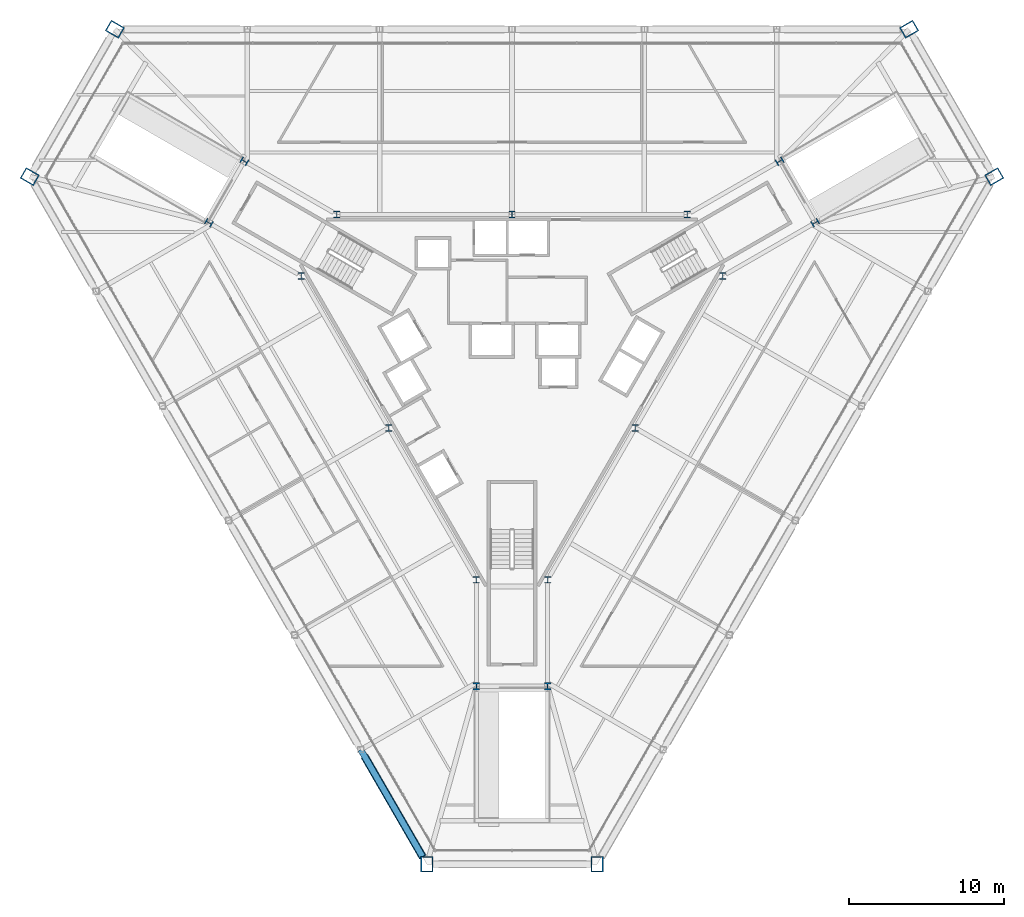
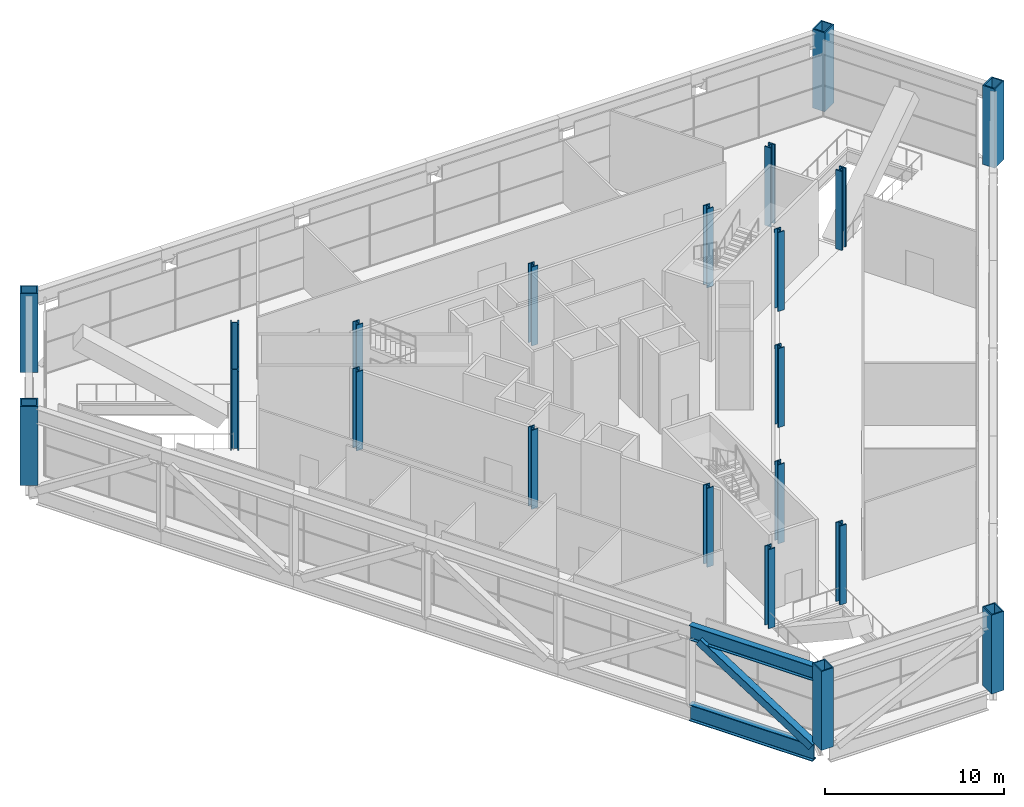
# One storey, part 1 of 20: 21 columns, 3 members.
"""IFC4 building model written with IfcOpenShell, lengths in metres."""

from ifc_helpers import new_model, si_unit, direction, frame, origin, origin_2d, place, context, subcontext, project, spatial, hollow_rectangle, i_section, extrude, material, material_profile, profile_set, type_object, element, save


model = new_model("IFC4")

# Units and contexts
model_context = context("Model", 3, precision=1e-05, world=origin(), true_north=direction((0.0, 1.0)))
body_context = subcontext(model_context, "Body", "Model", "MODEL_VIEW")
ifc_project = project(units=[si_unit("LENGTHUNIT", "METRE"), si_unit("AREAUNIT", "SQUARE_METRE"), si_unit("VOLUMEUNIT", "CUBIC_METRE"), si_unit("PLANEANGLEUNIT", "RADIAN"), si_unit("MASSUNIT", "GRAM", prefix="KILO")], contexts=[model_context])

# Site, building, storey
site_placement = place(None, origin())
site = spatial("IfcSite", under=ifc_project, at=site_placement, CompositionType="ELEMENT")
building_placement = place(site_placement, origin())
building = spatial("IfcBuilding", under=site, at=building_placement, Name="Verrane Prism Tower", CompositionType="ELEMENT")
storey_placement = place(building_placement, frame((0.0, 0.0, 12.0)))
storey = spatial("IfcBuildingStorey", under=building, at=storey_placement, Name="L01", CompositionType="ELEMENT", Elevation=12.0)

# Columns
ifc_material_1 = material(Name="Steel A992", Category="steel")
ifc_material_profile_1 = material_profile(ifc_material_1, i_section(OverallWidth=0.424072265625, OverallDepth=0.47509765625, WebThickness=0.0478515625, FlangeThickness=0.0771484375, FilletRadius=0.014892578125, at=origin_2d()), Name="W14x426")
ifc_profile_set_1 = profile_set([ifc_material_profile_1], Name="Steel A992")
column_type_1 = type_object("IfcColumnType", Name="Core corner column W14x426", PredefinedType="COLUMN", material=ifc_profile_set_1)
for number, where, z_axis, x_axis, name in (
    (1, (19.60009765625, 8.659912109375, 0.0), (0.0, 0.0, 1.0), (0.5, -0.866025403784, 0.0), "Core corner column CK-NEm L01"),
    (2, (17.300048828125, 12.639892578125, 0.0), (0.0, 0.0, 1.0), (0.5, -0.866025403784, 0.0), "Core corner column CK-NEp L01"),
    (3, (-17.300048828125, 12.639892578125, 0.0), (0.0, 0.0, 1.0), (0.5, 0.866025403784, 0.0), "Core corner column CK-NWm L01"),
    (4, (-19.60009765625, 8.659912109375, 0.0), (0.0, 0.0, 1.0), (0.5, 0.866025403784, 0.0), "Core corner column CK-NWp L01"),
    (5, (-2.300048828125, -21.300048828125, 0.0), (0.0, 0.0, 1.0), (-1.0, 0.0, 0.0), "Core corner column CK-Sm L01"),
    (6, (2.300048828125, -21.300048828125, 0.0), (0.0, 0.0, 1.0), (-1.0, 0.0, 0.0), "Core corner column CK-Sp L01"),
):
    element("IfcColumn", number, at=place(storey_placement, frame(where, z_axis=z_axis, x_axis=x_axis)), inside=storey, type_object=column_type_1, Name=name, PredefinedType="COLUMN", context=body_context, shape_type="SweptSolid", body=[
        extrude(i_section(OverallWidth=0.424072265625, OverallDepth=0.47509765625, WebThickness=0.0478515625, FlangeThickness=0.0771484375, FilletRadius=0.014892578125, at=origin_2d()), origin(), (0.0, 0.0, 1.0), 5.39990234375),
    ])
ifc_material_2 = material(Name="Steel A992", Category="steel")
ifc_material_profile_2 = material_profile(ifc_material_2, i_section(OverallWidth=0.411376953125, OverallDepth=0.434326171875, WebThickness=0.035888671875, FlangeThickness=0.057373046875, FilletRadius=0.01513671875, at=origin_2d()), Name="W14x311")
ifc_profile_set_2 = profile_set([ifc_material_profile_2], Name="Steel A992")
column_type_2 = type_object("IfcColumnType", Name="Core side column W14x311", PredefinedType="COLUMN", material=ifc_profile_set_2)
for number, where, z_axis, x_axis, name in (
    (7, (13.6298828125, 5.219970703125, 0.0), (0.0, 0.0, 1.0), (1.0, 0.0, 0.0), "Core side column CC-NEm L01"),
    (8, (11.330078125, 9.199951171875, 0.0), (0.0, 0.0, 1.0), (1.0, 0.0, 0.0), "Core side column CC-NEp L01"),
    (9, (0.0, 9.199951171875, 0.0), (0.0, 0.0, 1.0), (1.0, 0.0, 0.0), "Core side column CC-N0 L01"),
    (10, (-11.330078125, 9.199951171875, 0.0), (0.0, 0.0, 1.0), (1.0, 0.0, 0.0), "Core side column CC-NWm L01"),
    (11, (-13.6298828125, 5.219970703125, 0.0), (0.0, 0.0, 1.0), (1.0, 0.0, 0.0), "Core side column CC-NWp L01"),
    (12, (-7.969970703125, -4.60009765625, 0.0), (0.0, 0.0, 1.0), (1.0, 0.0, 0.0), "Core side column CC-SW0 L01"),
    (13, (-2.300048828125, -14.419921875, 0.0), (0.0, 0.0, 1.0), (1.0, 0.0, 0.0), "Core side column CC-Sm L01"),
    (14, (2.300048828125, -14.419921875, 0.0), (0.0, 0.0, 1.0), (1.0, 0.0, 0.0), "Core side column CC-Sp L01"),
    (15, (7.969970703125, -4.60009765625, 0.0), (0.0, 0.0, 1.0), (1.0, 0.0, 0.0), "Core side column CC-SE0 L01"),
):
    element("IfcColumn", number, at=place(storey_placement, frame(where, z_axis=z_axis, x_axis=x_axis)), inside=storey, type_object=column_type_2, Name=name, PredefinedType="COLUMN", context=body_context, shape_type="SweptSolid", body=[
        extrude(i_section(OverallWidth=0.411376953125, OverallDepth=0.434326171875, WebThickness=0.035888671875, FlangeThickness=0.057373046875, FilletRadius=0.01513671875, at=origin_2d()), origin(), (0.0, 0.0, 1.0), 5.39990234375),
    ])
ifc_material_3 = material(Name="Steel A572 Grade 50", Category="steel")
ifc_material_profile_3 = material_profile(ifc_material_3, hollow_rectangle(XDim=0.800048828125, YDim=1.0, WallThickness=0.074951171875, at=origin_2d()), Name="BOX 1000x800x75")
ifc_profile_set_3 = profile_set([ifc_material_profile_3], Name="Steel A572 Grade 50")
column_type_3 = type_object("IfcColumnType", Name="Megacolumn BOX 1000x800x75", PredefinedType="COLUMN", material=ifc_profile_set_3)
for number, where, z_axis, x_axis, name in (
    (16, (25.669921875, 21.169921875, 0.0), (0.0, 0.0, 1.0), (0.5, -0.866025403784, 0.0), "Megacolumn MC-NE.b L01"),
    (17, (-25.669921875, 21.169921875, 0.0), (0.0, 0.0, 1.0), (0.5, 0.866025403784, 0.0), "Megacolumn MC-NW.a L01"),
    (18, (-31.169921875, 11.639892578125, 0.0), (0.0, 0.0, 1.0), (0.5, 0.866025403784, 0.0), "Megacolumn MC-NW.b L01"),
    (19, (-5.5, -32.81005859375, 0.0), (0.0, 0.0, 1.0), (-1.0, 0.0, 0.0), "Megacolumn MC-S.a L01"),
    (20, (5.5, -32.81005859375, 0.0), (0.0, 0.0, 1.0), (-1.0, 0.0, 0.0), "Megacolumn MC-S.b L01"),
    (21, (31.169921875, 11.639892578125, 0.0), (0.0, 0.0, 1.0), (0.5, -0.866025403784, 0.0), "Megacolumn MC-NE.a L01"),
):
    element("IfcColumn", number, at=place(storey_placement, frame(where, z_axis=z_axis, x_axis=x_axis)), inside=storey, type_object=column_type_3, Name=name, PredefinedType="COLUMN", context=body_context, shape_type="SweptSolid", body=[
        extrude(hollow_rectangle(XDim=0.800048828125, YDim=1.0, WallThickness=0.074951171875, at=origin_2d()), origin(), (0.0, 0.0, 1.0), 5.39990234375),
    ])

# Members
ifc_material_4 = material(Name="Steel A992", Category="steel")
ifc_material_profile_4 = material_profile(ifc_material_4, i_section(OverallWidth=0.4013671875, OverallDepth=1.000732421875, WebThickness=0.01904296875, FlangeThickness=0.0361328125, FilletRadius=0.030029296875, at=origin_2d()), Name="W40x249")
ifc_profile_set_4 = profile_set([ifc_material_profile_4], Name="Steel A992")
member_type_1 = type_object("IfcMemberType", Name="Transfer truss chord W40x249", PredefinedType="CHORD", material=ifc_profile_set_4)
member_1_placement = place(storey_placement, frame((-9.780029296875, -25.39990234375, 4.739501953125), z_axis=(0.500153222552, -0.865936922628, 0.0), x_axis=(0.865936922628, 0.500153222552, 0.0)))
element("IfcMember", 22, at=member_1_placement, inside=storey, type_object=member_type_1, Name="Truss chord L01", PredefinedType="CHORD", context=body_context, shape_type="SweptSolid", body=[
    extrude(i_section(OverallWidth=0.4013671875, OverallDepth=1.000732421875, WebThickness=0.01904296875, FlangeThickness=0.0361328125, FilletRadius=0.030029296875, at=origin_2d()), origin(), (0.0, 0.0, 1.0), 7.97998046875),
])
ifc_material_5 = material(Name="Steel A992", Category="steel")
ifc_material_profile_5 = material_profile(ifc_material_5, i_section(OverallWidth=0.40380859375, OverallDepth=1.11767578125, WebThickness=0.026123046875, FlangeThickness=0.044921875, FilletRadius=0.02001953125, at=origin_2d()), Name="W44x335")
ifc_profile_set_5 = profile_set([ifc_material_profile_5], Name="Steel A992")
member_type_2 = type_object("IfcMemberType", Name="Transfer truss chord W44x335", PredefinedType="CHORD", material=ifc_profile_set_5)
member_2_placement = place(storey_placement, frame((-9.780029296875, -25.39990234375, -0.72119140625), z_axis=(0.500153222552, -0.865936922628, 0.0), x_axis=(0.865936922628, 0.500153222552, 0.0)))
element("IfcMember", 23, at=member_2_placement, inside=storey, type_object=member_type_2, Name="Truss chord L01", PredefinedType="CHORD", context=body_context, shape_type="SweptSolid", body=[
    extrude(i_section(OverallWidth=0.40380859375, OverallDepth=1.11767578125, WebThickness=0.026123046875, FlangeThickness=0.044921875, FilletRadius=0.02001953125, at=origin_2d()), origin(), (0.0, 0.0, 1.0), 7.97998046875),
])
ifc_material_6 = material(Name="Steel A500 Grade C", Category="steel")
ifc_material_profile_6 = material_profile(ifc_material_6, hollow_rectangle(XDim=0.508056640625, YDim=0.508056640625, WallThickness=0.01904296875, InnerFilletRadius=0.009521484375, OuterFilletRadius=0.028564453125, at=origin_2d()), Name="HSS20x20x3/4")
ifc_profile_set_6 = profile_set([ifc_material_profile_6], Name="Steel A500 Grade C")
member_type_3 = type_object("IfcMemberType", Name="Transfer truss diagonal HSS20x20x3/4", PredefinedType="BRACE", material=ifc_profile_set_6)
member_3_placement = place(storey_placement, frame((-5.82958984375, -32.239501953125, -0.30078125), z_axis=(-0.421613212927, 0.729963949548, 0.53795439495), x_axis=(-0.865938924228, -0.500149757079, 0.0)))
element("IfcMember", 24, at=member_3_placement, inside=storey, type_object=member_type_3, Name="Truss diagonal L01", PredefinedType="BRACE", context=body_context, shape_type="SweptSolid", body=[
    extrude(hollow_rectangle(XDim=0.508056640625, YDim=0.508056640625, WallThickness=0.01904296875, InnerFilletRadius=0.009521484375, OuterFilletRadius=0.028564453125, at=origin_2d()), origin(), (0.0, 0.0, 1.0), 8.6435546875),
])

save(model, "model.ifc")
